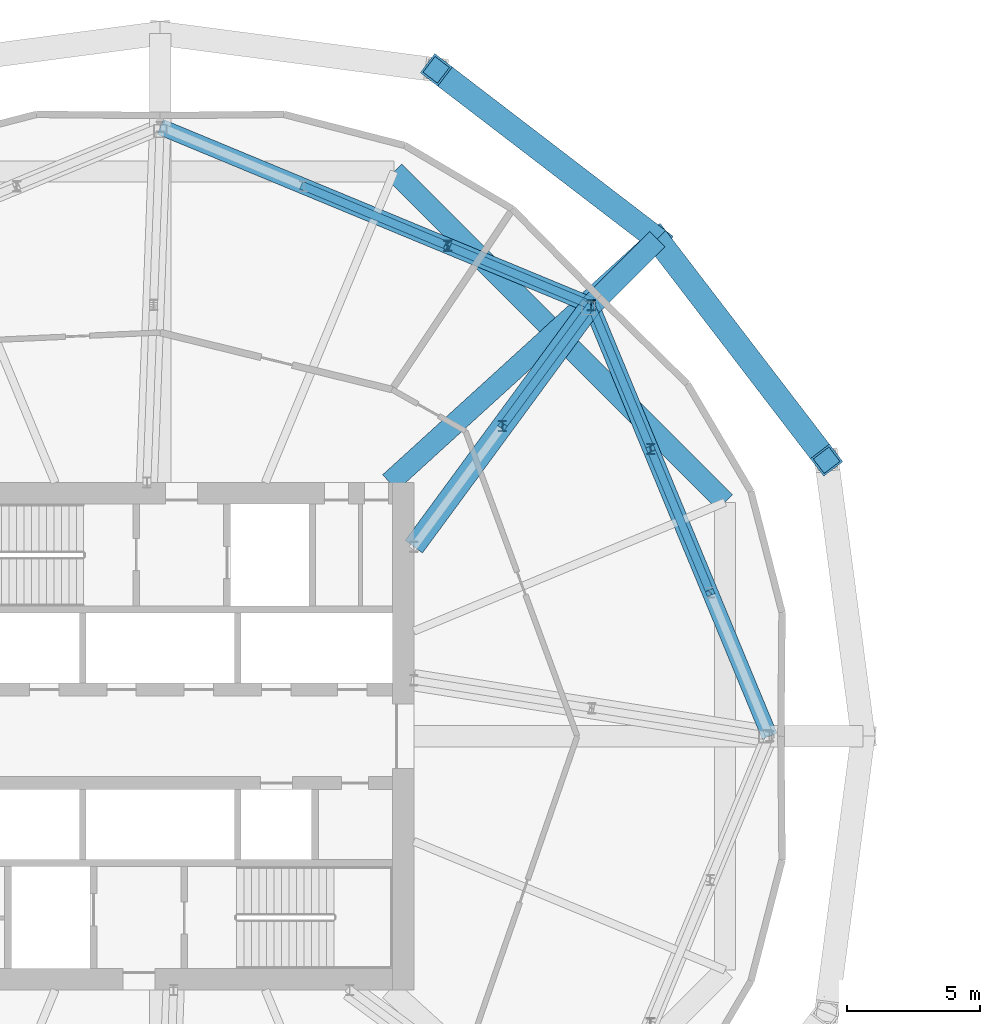
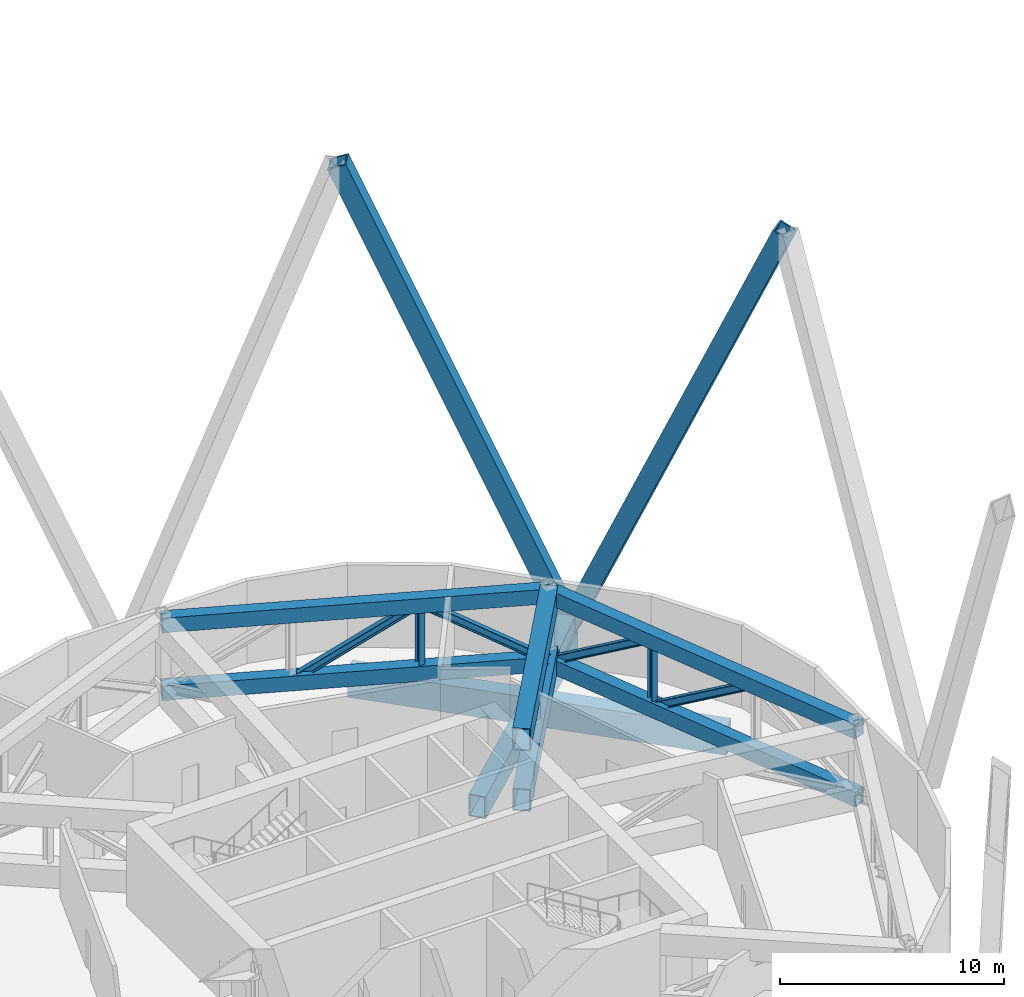
# One storey, part 7 of 21: 17 members, 3 beams.
"""IFC4 building model written with IfcOpenShell, lengths in metres."""

from ifc_helpers import new_model, si_unit, direction, frame, origin, origin_2d, place, context, subcontext, project, spatial, hollow_rectangle, i_section, extrude, material, material_profile, profile_set, type_object, element, save


model = new_model("IFC4")

# Units and contexts
model_context = context("Model", 3, precision=1e-05, world=origin(), true_north=direction((0.0, 1.0)))
body_context = subcontext(model_context, "Body", "Model", "MODEL_VIEW")
ifc_project = project(units=[si_unit("LENGTHUNIT", "METRE"), si_unit("AREAUNIT", "SQUARE_METRE"), si_unit("VOLUMEUNIT", "CUBIC_METRE"), si_unit("PLANEANGLEUNIT", "RADIAN"), si_unit("MASSUNIT", "GRAM", prefix="KILO")], contexts=[model_context])

# Site, building, storey
site_placement = place(None, origin())
site = spatial("IfcSite", under=ifc_project, at=site_placement, CompositionType="ELEMENT")
building_placement = place(site_placement, origin())
building = spatial("IfcBuilding", under=site, at=building_placement, Name="Ogive Gate Towers", CompositionType="ELEMENT")
storey_placement = place(building_placement, frame((0.0, 0.0, 71.39990234375)))
storey = spatial("IfcBuildingStorey", under=building, at=storey_placement, Name="L16", CompositionType="ELEMENT", Elevation=71.39990234375)

# Members
ifc_material = material(Name="Steel SM460", Category="steel")
ifc_material_profile_1 = material_profile(ifc_material, hollow_rectangle(XDim=0.89990234375, YDim=0.89990234375, WallThickness=0.080078125, at=origin_2d()), Name="BX 900x900x80")
ifc_profile_set_1 = profile_set([ifc_material_profile_1], Name="Steel SM460")
member_type_1 = type_object("IfcMemberType", Name="Diagrid diagonal BX 900x900x80", PredefinedType="BRACE", material=ifc_profile_set_1)
for number, where, z_axis, x_axis, name in (
    (1, (-17.3818359375, 18.6181640625, 0.0), (0.239941197331, -0.313043448302, 0.918929823925), (0.793678314576, 0.608337680052, 0.0), "T1/L16/SDG003"),
    (2, (-17.3818359375, 18.6181640625, 0.0), (-0.313043448302, 0.239941197331, 0.918929823925), (-0.608337680052, -0.793678314576, 0.0), "T1/L16/SDG004"),
):
    element("IfcMember", number, at=place(storey_placement, frame(where, z_axis=z_axis, x_axis=x_axis)), inside=storey, type_object=member_type_1, Name=name, PredefinedType="BRACE", context=body_context, shape_type="SweptSolid", body=[
        extrude(hollow_rectangle(XDim=0.89990234375, YDim=0.89990234375, WallThickness=0.080078125, at=origin_2d()), origin(), (0.0, 0.0, 1.0), 26.44384765625),
    ])

# Beams
ifc_material_profile_2 = material_profile(ifc_material, hollow_rectangle(XDim=0.800048828125, YDim=1.5, WallThickness=0.06005859375, at=origin_2d()), Name="BX 1500x800x60")
ifc_profile_set_2 = profile_set([ifc_material_profile_2], Name="Steel SM460")
beam_type_1 = type_object("IfcBeamType", Name="Edge girder BX 1500x800x60", PredefinedType="BEAM", material=ifc_profile_set_2)
beam_1_placement = place(storey_placement, frame((-14.84326171875, 8.763427734375, -1.0498046875), z_axis=(-0.707106781187, 0.707106781187, 0.0), x_axis=(-0.707106781187, -0.707106781187, 0.0)))
element("IfcBeam", 3, at=beam_1_placement, inside=storey, type_object=beam_type_1, Name="T1/L16/SBM021", PredefinedType="BEAM", context=body_context, shape_type="SweptSolid", body=[
    extrude(hollow_rectangle(XDim=0.800048828125, YDim=1.5, WallThickness=0.06005859375, at=origin_2d()), origin(), (0.0, 0.0, 1.0), 17.52685546875),
])
ifc_material_profile_3 = material_profile(ifc_material, hollow_rectangle(XDim=0.800048828125, YDim=0.800048828125, WallThickness=0.050048828125, at=origin_2d()), Name="BX 800x800x50")
ifc_profile_set_3 = profile_set([ifc_material_profile_3], Name="Steel SM460")
beam_type_2 = type_object("IfcBeamType", Name="Node arm BX 800x800x50", PredefinedType="BEAM", material=ifc_profile_set_3)
beam_2_placement = place(storey_placement, frame((-19.856689453125, 16.143310546875, 0.4501953125), z_axis=(0.707106781187, 0.707106781187, 0.0), x_axis=(-0.707106781187, 0.707106781187, 0.0)))
element("IfcBeam", 4, at=beam_2_placement, inside=storey, type_object=beam_type_2, Name="T1/L16/SBM026", PredefinedType="BEAM", context=body_context, shape_type="SweptSolid", body=[
    extrude(hollow_rectangle(XDim=0.800048828125, YDim=0.800048828125, WallThickness=0.050048828125, at=origin_2d()), origin(), (0.0, 0.0, 1.0), 3.5),
])
ifc_material_profile_4 = material_profile(ifc_material, hollow_rectangle(XDim=0.800048828125, YDim=1.199951171875, WallThickness=0.050048828125, at=origin_2d()), Name="BX 1200x800x50")
ifc_profile_set_4 = profile_set([ifc_material_profile_4], Name="Steel SM460")
beam_type_3 = type_object("IfcBeamType", Name="Transfer radial beam BX 1200x800x50", PredefinedType="BEAM", material=ifc_profile_set_4)
beam_3_placement = place(storey_placement, frame((-27.39990234375, 9.5, -0.89990234375), z_axis=(0.739541977393, 0.673110439433, 0.0), x_axis=(-0.673110439433, 0.739541977393, 0.0)))
element("IfcBeam", 5, at=beam_3_placement, inside=storey, type_object=beam_type_3, Name="T1/L16/SBM010", PredefinedType="BEAM", context=body_context, shape_type="SweptSolid", body=[
    extrude(hollow_rectangle(XDim=0.800048828125, YDim=1.199951171875, WallThickness=0.050048828125, at=origin_2d()), origin(), (0.0, 0.0, 1.0), 13.54638671875),
])

# Members
ifc_material_profile_5 = material_profile(ifc_material, hollow_rectangle(XDim=0.800048828125, YDim=1.199951171875, WallThickness=0.050048828125, at=origin_2d()), Name="BX 1200x800x50")
ifc_profile_set_5 = profile_set([ifc_material_profile_5], Name="Steel SM460")
member_type_2 = type_object("IfcMemberType", Name="Truss chord BX 1200x800x50", PredefinedType="CHORD", material=ifc_profile_set_5)
for number, where, z_axis, x_axis, name in (
    (6, (-26.5, 7.10009765625, 0.60009765625), (0.592036926482, 0.805910837302, 0.0), (-0.805910837302, 0.592036926482, 0.0), "T1/L16/STR024"),
    (7, (-26.5, 7.10009765625, 3.900146484375), (0.592036926482, 0.805910837302, 0.0), (-0.805910837302, 0.592036926482, 0.0), "T1/L16/STR025"),
):
    element("IfcMember", number, at=place(storey_placement, frame(where, z_axis=z_axis, x_axis=x_axis)), inside=storey, type_object=member_type_2, Name=name, PredefinedType="CHORD", context=body_context, shape_type="SweptSolid", body=[
        extrude(hollow_rectangle(XDim=0.800048828125, YDim=1.199951171875, WallThickness=0.050048828125, at=origin_2d()), origin(), (0.0, 0.0, 1.0), 11.22119140625),
    ])
ifc_material_profile_6 = material_profile(ifc_material, hollow_rectangle(XDim=0.60009765625, YDim=0.800048828125, WallThickness=0.0400390625, at=origin_2d()), Name="BX 800x600x40")
ifc_profile_set_6 = profile_set([ifc_material_profile_6], Name="Steel SM460")
member_type_3 = type_object("IfcMemberType", Name="Truss chord BX 800x600x40", PredefinedType="CHORD", material=ifc_profile_set_6)
for number, where, z_axis, x_axis, name in (
    (8, (-13.169921875, 0.0, 0.400146484375), (-0.382682914959, 0.923879746828, 0.0), (-0.923879746828, -0.382682914959, 0.0), "T1/L16/STR001"),
    (9, (-13.169921875, 0.0, 4.10009765625), (-0.382682914959, 0.923879746828, 0.0), (-0.923879746828, -0.382682914959, 0.0), "T1/L16/STR002"),
    (10, (-19.856689453125, 16.143310546875, 0.400146484375), (-0.923879746828, 0.382682914959, 0.0), (-0.382682914959, -0.923879746828, 0.0), "T1/L16/STR016"),
    (11, (-19.856689453125, 16.143310546875, 4.10009765625), (-0.923879746828, 0.382682914959, 0.0), (-0.382682914959, -0.923879746828, 0.0), "T1/L16/STR017"),
):
    element("IfcMember", number, at=place(storey_placement, frame(where, z_axis=z_axis, x_axis=x_axis)), inside=storey, type_object=member_type_3, Name=name, PredefinedType="CHORD", context=body_context, shape_type="SweptSolid", body=[
        extrude(hollow_rectangle(XDim=0.60009765625, YDim=0.800048828125, WallThickness=0.0400390625, at=origin_2d()), origin(), (0.0, 0.0, 1.0), 17.473388671875),
    ])
ifc_material_profile_7 = material_profile(ifc_material, i_section(OverallWidth=0.300048828125, OverallDepth=0.39990234375, WebThickness=0.013427734375, FlangeThickness=0.02392578125, FilletRadius=0.027099609375, at=origin_2d()), Name="HE 400 B")
ifc_profile_set_7 = profile_set([ifc_material_profile_7], Name="Steel SM460")
member_type_4 = type_object("IfcMemberType", Name="Truss diagonal HE 400 B", PredefinedType="BRACE", material=ifc_profile_set_7)
member_1_placement = place(storey_placement, frame((-15.39892578125, 5.381103515625, 4.10009765625), z_axis=(-0.323029212472, 0.779834268576, -0.536200187844), x_axis=(-0.923874806885, -0.382694840836, 0.0)))
element("IfcMember", 12, at=member_1_placement, inside=storey, type_object=member_type_4, Name="T1/L16/STR004", PredefinedType="BRACE", context=body_context, shape_type="SweptSolid", body=[
    extrude(i_section(OverallWidth=0.300048828125, OverallDepth=0.39990234375, WebThickness=0.013427734375, FlangeThickness=0.02392578125, FilletRadius=0.027099609375, at=origin_2d()), origin(), (0.0, 0.0, 1.0), 6.900390625),
])
for number, where, z_axis, x_axis, name in (
    (13, (-17.6279296875, 10.76220703125, 4.10009765625), (-0.322997522794, 0.779843181061, -0.53620631591), (-0.923889626408, -0.382659062633, 0.0), "T1/L16/STR005"),
    (14, (-19.856689453125, 16.143310546875, 0.400146484375), (-0.779843181061, 0.322997522794, 0.53620631591), (-0.382659062633, -0.923889626408, 0.0), "T1/L16/STR018"),
):
    element("IfcMember", number, at=place(storey_placement, frame(where, z_axis=z_axis, x_axis=x_axis)), inside=storey, type_object=member_type_4, Name=name, PredefinedType="BRACE", context=body_context, shape_type="SweptSolid", body=[
        extrude(i_section(OverallWidth=0.300048828125, OverallDepth=0.39990234375, WebThickness=0.013427734375, FlangeThickness=0.02392578125, FilletRadius=0.027099609375, at=origin_2d()), origin(), (0.0, 0.0, 1.0), 6.900146484375),
    ])
member_2_placement = place(storey_placement, frame((-25.23779296875, 18.3720703125, 4.10009765625), z_axis=(-0.779834268576, 0.323029212472, -0.536200187844), x_axis=(-0.382694840836, -0.923874806885, 0.0)))
element("IfcMember", 15, at=member_2_placement, inside=storey, type_object=member_type_4, Name="T1/L16/STR019", PredefinedType="BRACE", context=body_context, shape_type="SweptSolid", body=[
    extrude(i_section(OverallWidth=0.300048828125, OverallDepth=0.39990234375, WebThickness=0.013427734375, FlangeThickness=0.02392578125, FilletRadius=0.027099609375, at=origin_2d()), origin(), (0.0, 0.0, 1.0), 6.900390625),
])
member_3_placement = place(storey_placement, frame((-23.178466796875, 11.62158203125, 3.900146484375), z_axis=(0.510315122671, 0.694660178377, -0.506977033158), x_axis=(-0.805908082445, 0.592040676516, 0.0)))
element("IfcMember", 16, at=member_3_placement, inside=storey, type_object=member_type_4, Name="T1/L16/STR027", PredefinedType="BRACE", context=body_context, shape_type="SweptSolid", body=[
    extrude(i_section(OverallWidth=0.300048828125, OverallDepth=0.39990234375, WebThickness=0.013427734375, FlangeThickness=0.02392578125, FilletRadius=0.027099609375, at=origin_2d()), origin(), (0.0, 0.0, 1.0), 6.50927734375),
])
ifc_material_profile_8 = material_profile(ifc_material, i_section(OverallWidth=0.300048828125, OverallDepth=0.39990234375, WebThickness=0.013427734375, FlangeThickness=0.02392578125, FilletRadius=0.027099609375, at=origin_2d()), Name="HE 400 B")
ifc_profile_set_8 = profile_set([ifc_material_profile_8], Name="Steel SM460")
member_type_5 = type_object("IfcMemberType", Name="Truss post HE 400 B", PredefinedType="POST", material=ifc_profile_set_8)
for number, where, z_axis, x_axis, name in (
    (17, (-17.6279296875, 10.76220703125, 0.400146484375), (0.0, 0.0, 1.0), (1.0, 0.0, 0.0), "T1/L16/STR008"),
    (18, (-19.856689453125, 16.143310546875, 0.400146484375), (0.0, 0.0, 1.0), (1.0, 0.0, 0.0), "T1/L16/STR009"),
    (19, (-25.23779296875, 18.3720703125, 0.400146484375), (0.0, 0.0, 1.0), (1.0, 0.0, 0.0), "T1/L16/STR021"),
):
    element("IfcMember", number, at=place(storey_placement, frame(where, z_axis=z_axis, x_axis=x_axis)), inside=storey, type_object=member_type_5, Name=name, PredefinedType="POST", context=body_context, shape_type="SweptSolid", body=[
        extrude(i_section(OverallWidth=0.300048828125, OverallDepth=0.39990234375, WebThickness=0.013427734375, FlangeThickness=0.02392578125, FilletRadius=0.027099609375, at=origin_2d()), origin(), (0.0, 0.0, 1.0), 3.699951171875),
    ])
member_4_placement = place(storey_placement, frame((-23.178466796875, 11.62158203125, 0.60009765625), z_axis=(0.0, 0.0, 1.0), x_axis=(1.0, 0.0, 0.0)))
element("IfcMember", 20, at=member_4_placement, inside=storey, type_object=member_type_5, Name="T1/L16/STR029", PredefinedType="POST", context=body_context, shape_type="SweptSolid", body=[
    extrude(i_section(OverallWidth=0.300048828125, OverallDepth=0.39990234375, WebThickness=0.013427734375, FlangeThickness=0.02392578125, FilletRadius=0.027099609375, at=origin_2d()), origin(), (0.0, 0.0, 1.0), 3.300048828125),
])

save(model, "model.ifc")
